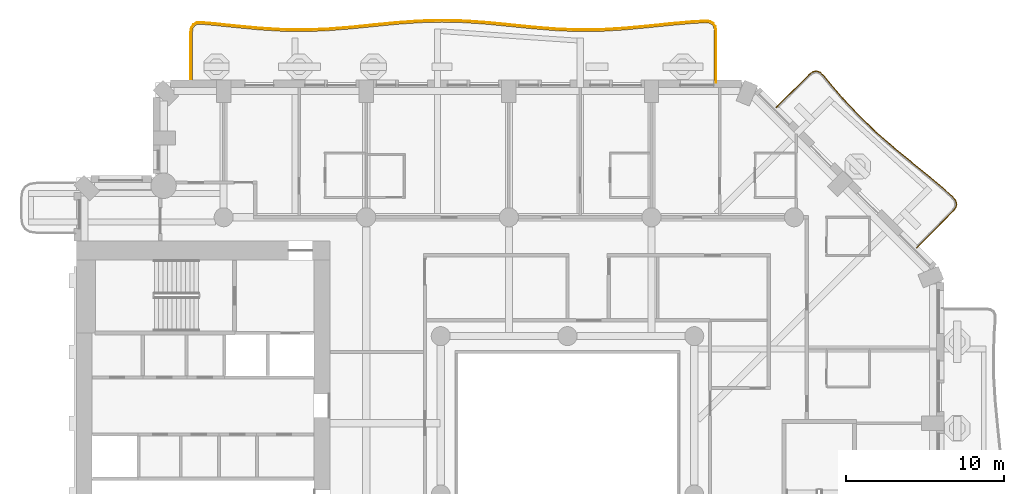
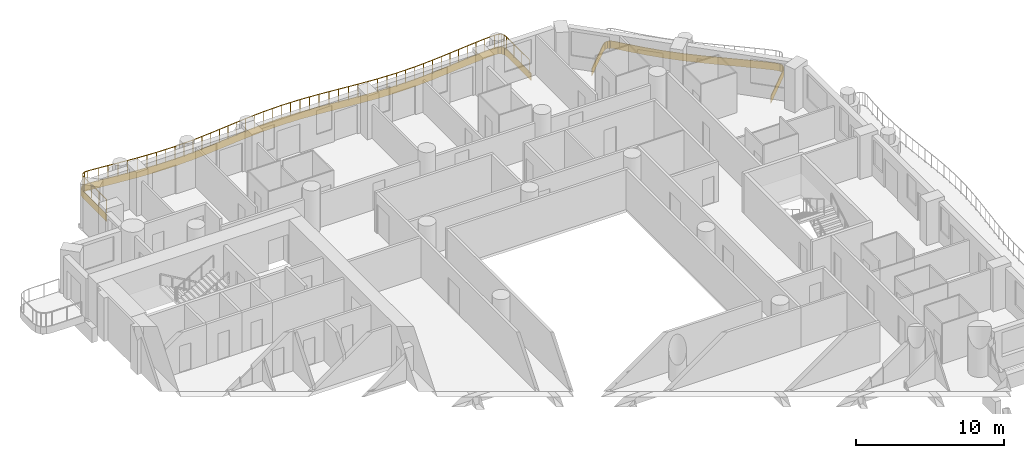
# One storey, part 18 of 20: 2 coverings, 1 railing.
"""IFC4 building model written with IfcOpenShell, lengths in metres."""

from ifc_helpers import new_model, si_unit, direction, frame, origin, origin_2d, place, context, subcontext, project, spatial, polyline, rectangle, outline, extrude, material, layer, layer_set, type_object, element, save


model = new_model("IFC4")

# Units and contexts
model_context = context("Model", 3, precision=1e-05, world=origin(), true_north=direction((0.0, 1.0)))
body_context = subcontext(model_context, "Body", "Model", "MODEL_VIEW")
ifc_project = project(units=[si_unit("LENGTHUNIT", "METRE"), si_unit("AREAUNIT", "SQUARE_METRE"), si_unit("VOLUMEUNIT", "CUBIC_METRE"), si_unit("PLANEANGLEUNIT", "RADIAN"), si_unit("MASSUNIT", "GRAM", prefix="KILO")], contexts=[model_context])

# Site, building, storey
site_placement = place(None, origin())
site = spatial("IfcSite", under=ifc_project, at=site_placement, CompositionType="ELEMENT")
building_placement = place(site_placement, origin())
building = spatial("IfcBuilding", under=site, at=building_placement, Name="Cypress Arch Tower", CompositionType="ELEMENT")
storey_placement = place(building_placement, frame((0.0, 0.0, 77.10009765625)))
storey = spatial("IfcBuildingStorey", under=building, at=storey_placement, Name="L13", CompositionType="ELEMENT", Elevation=77.10009765625)

# Coverings
ifc_material_1 = material(Name="White powder-coated aluminium fascia", Category="aluminium")
ifc_layer = layer(ifc_material_1, 0.050048828125)
ifc_layer_set = layer_set([ifc_layer], Name="Balcony fascia BF50")
covering_type = type_object("IfcCoveringType", Name="Balcony fascia BF50", PredefinedType="CLADDING", material=ifc_layer_set)
covering_1_placement = place(storey_placement, frame((0.0, 0.0, -0.60009765625)))
element("IfcCovering", 1, at=covering_1_placement, inside=storey, type_object=covering_type, Name="Balcony fascia L13-A07", PredefinedType="CLADDING", context=body_context, shape_type="SweptSolid", body=[
    extrude(outline(polyline([(16.239990234375, 26.52880859375), (16.47021484375, 26.700927734375), (16.70703125, 26.75390625), (16.937744140625, 26.67822265625), (17.150146484375, 26.484375), (17.63818359375, 25.890625), (18.547607421875, 24.843017578125), (19.499267578125, 23.83837890625), (20.49951171875, 22.88232421875), (21.543701171875, 21.969482421875), (22.616943359375, 21.08447265625), (23.697998046875, 20.205810546875), (24.763671875, 19.309814453125), (25.332763671875, 18.794921875), (25.5166015625, 18.573486328125), (25.5849609375, 18.337158203125), (25.528564453125, 18.09765625), (25.35595703125, 17.8671875), (23.045166015625, 15.556396484375), (23.009765625, 15.591796875), (25.318115234375, 17.900146484375), (25.482177734375, 18.119384765625), (25.533447265625, 18.3359375), (25.471435546875, 18.549560546875), (25.296630859375, 18.76025390625), (24.730712890625, 19.272216796875), (23.666015625, 20.167236328125), (22.585205078125, 21.0458984375), (21.51123046875, 21.931396484375), (20.4658203125, 22.845458984375), (19.4638671875, 23.80322265625), (18.510498046875, 24.8095703125), (17.599853515625, 25.8583984375), (17.11376953125, 26.449951171875), (16.911865234375, 26.634033203125), (16.70458984375, 26.7021484375), (16.49169921875, 26.654541015625), (16.27294921875, 26.490966796875), (14.191650390625, 24.40966796875), (14.15625, 24.445068359375), (16.239990234375, 26.52880859375)])), origin(), (0.0, 0.0, 1.0), 0.60009765625),
])
covering_2_placement = place(storey_placement, frame((0.0, 0.0, -0.60009765625)))
element("IfcCovering", 2, at=covering_2_placement, inside=storey, type_object=covering_type, Name="Balcony fascia L13-A08", PredefinedType="CLADDING", context=body_context, shape_type="SweptSolid", body=[
    extrude(outline(polyline([(-22.800048828125, 29.1728515625), (-22.757568359375, 29.4677734375), (-22.623046875, 29.680908203125), (-22.399169921875, 29.79638671875), (-22.1015625, 29.81298828125), (-21.30615234375, 29.74365234375), (-19.866943359375, 29.5947265625), (-18.4287109375, 29.459716796875), (-16.99169921875, 29.37158203125), (-15.554931640625, 29.352294921875), (-14.1181640625, 29.40625), (-12.6806640625, 29.5205078125), (-11.241943359375, 29.666748046875), (-9.802001953125, 29.80908203125), (-8.361083984375, 29.911865234375), (-6.919677734375, 29.949951171875), (-5.47802734375, 29.913818359375), (-4.037109375, 29.8125), (-2.59716796875, 29.6708984375), (-1.158447265625, 29.524169921875), (0.279052734375, 29.40869140625), (1.7158203125, 29.352783203125), (3.152587890625, 29.3701171875), (4.589599609375, 29.45654296875), (6.02783203125, 29.5908203125), (7.467041015625, 29.73974609375), (8.907470703125, 29.866455078125), (9.703369140625, 29.906982421875), (10.000732421875, 29.879638671875), (10.2236328125, 29.7568359375), (10.357421875, 29.540283203125), (10.39990234375, 29.244873046875), (10.39990234375, 26.0009765625), (10.35009765625, 26.0009765625), (10.35009765625, 29.2412109375), (10.3095703125, 29.52294921875), (10.18798828125, 29.719482421875), (9.98583984375, 29.830810546875), (9.702392578125, 29.85693359375), (8.910888671875, 29.816650390625), (7.4716796875, 29.68994140625), (6.03271484375, 29.541015625), (4.593505859375, 29.40673828125), (3.154296875, 29.320068359375), (1.71533203125, 29.302734375), (0.276123046875, 29.35888671875), (-1.1630859375, 29.474365234375), (-2.602294921875, 29.62109375), (-4.041259765625, 29.7626953125), (-5.48046875, 29.864013671875), (-6.919677734375, 29.89990234375), (-8.358642578125, 29.862060546875), (-9.7978515625, 29.75927734375), (-11.237060546875, 29.616943359375), (-12.676025390625, 29.470703125), (-14.115234375, 29.3564453125), (-15.554443359375, 29.30224609375), (-16.993408203125, 29.321533203125), (-18.4326171875, 29.409912109375), (-19.871826171875, 29.544921875), (-21.310791015625, 29.69384765625), (-22.102294921875, 29.762939453125), (-22.3857421875, 29.7470703125), (-22.588134765625, 29.642822265625), (-22.70947265625, 29.4501953125), (-22.75, 29.16943359375), (-22.75, 26.0009765625), (-22.800048828125, 26.0009765625), (-22.800048828125, 29.1728515625)])), origin(), (0.0, 0.0, 1.0), 0.60009765625),
])

# Railing
ifc_material_2 = material(Name="Powder-coated steel posts and rods, 100 mm clear between rods", Category="steel")
railing_type = type_object("IfcRailingType", Name="Balcony guard GR1100", PredefinedType="GUARDRAIL", material=ifc_material_2)
railing_placement = place(storey_placement, frame((-22.699951171875, 26.14990234375, 0.0)))
element("IfcRailing", 3, at=railing_placement, inside=storey, type_object=railing_type, Name="Balcony guard L13-A08", PredefinedType="GUARDRAIL", context=body_context, shape_type="SweptSolid", body=[
    extrude(rectangle(XDim=0.050048828125, YDim=0.050048828125, at=origin_2d()), frame((0.0, 0.0, 1.0751953125), z_axis=(0.0, 1.0, 0.0), x_axis=(-1.0, 0.0, 0.0)), (0.0, 0.0, 1.0), 3.015869140625),
    extrude(rectangle(XDim=0.050048828125, YDim=0.050048828125, at=origin_2d()), frame((0.0, 3.015869140625, 1.0751953125), z_axis=(0.142182033643, 0.989840527211, 0.0), x_axis=(-0.989840527211, 0.142182033643, 0.0)), (0.0, 0.0, 1.0), 0.26953125),
    extrude(rectangle(XDim=0.050048828125, YDim=0.050048828125, at=origin_2d()), frame((0.038330078125, 3.28271484375, 1.0751953125), z_axis=(0.534309176625, 0.845289124368, 0.0), x_axis=(-0.845289124368, 0.534309176625, 0.0)), (0.0, 0.0, 1.0), 0.203369140625),
    extrude(rectangle(XDim=0.050048828125, YDim=0.050048828125, at=origin_2d()), frame((0.14697265625, 3.45458984375, 1.0751953125), z_axis=(0.888589081018, 0.458704093174, 0.0), x_axis=(-0.458704093174, 0.888589081018, 0.0)), (0.0, 0.0, 1.0), 0.203369140625),
    extrude(rectangle(XDim=0.050048828125, YDim=0.050048828125, at=origin_2d()), frame((0.32763671875, 3.5478515625, 1.0751953125), z_axis=(0.998471484463, 0.055269292697, 0.0), x_axis=(-0.055269292697, 0.998471484463, 0.0)), (0.0, 0.0, 1.0), 0.26953125),
    extrude(rectangle(XDim=0.050048828125, YDim=0.050048828125, at=origin_2d()), frame((0.5966796875, 3.562744140625, 1.0751953125), z_axis=(0.996227830946, -0.086776199782, 0.0), x_axis=(0.086776199782, 0.996227830946, 0.0)), (0.0, 0.0, 1.0), 0.79052734375),
    extrude(rectangle(XDim=0.050048828125, YDim=0.050048828125, at=origin_2d()), frame((1.38427734375, 3.494140625, 1.0751953125), z_axis=(0.994687027697, -0.10294521325, 0.0), x_axis=(0.10294521325, 0.994687027697, 0.0)), (0.0, 0.0, 1.0), 1.446533203125),
    extrude(rectangle(XDim=0.050048828125, YDim=0.050048828125, at=origin_2d()), frame((2.8232421875, 3.34521484375, 1.0751953125), z_axis=(0.995619017982, -0.093502786229, 0.0), x_axis=(0.093502786229, 0.995619017982, 0.0)), (0.0, 0.0, 1.0), 1.446533203125),
    extrude(rectangle(XDim=0.050048828125, YDim=0.050048828125, at=origin_2d()), frame((4.263427734375, 3.2099609375, 1.0751953125), z_axis=(0.998135240894, -0.061041304754, 0.0), x_axis=(0.061041304754, 0.998135240894, 0.0)), (0.0, 0.0, 1.0), 1.44384765625),
    extrude(rectangle(XDim=0.050048828125, YDim=0.050048828125, at=origin_2d()), frame((5.70458984375, 3.121826171875, 1.0751953125), z_axis=(0.999908240636, -0.013546597672, 0.0), x_axis=(0.013546597672, 0.999908240636, 0.0)), (0.0, 0.0, 1.0), 1.44189453125),
    extrude(rectangle(XDim=0.050048828125, YDim=0.050048828125, at=origin_2d()), frame((7.146240234375, 3.102294921875, 1.0751953125), z_axis=(0.999293807627, 0.037575072035, 0.0), x_axis=(-0.037575072035, 0.999293807627, 0.0)), (0.0, 0.0, 1.0), 1.4423828125),
    extrude(rectangle(XDim=0.050048828125, YDim=0.050048828125, at=origin_2d()), frame((8.587646484375, 3.156494140625, 1.0751953125), z_axis=(0.996856504141, 0.079228215632, 0.0), x_axis=(-0.079228215632, 0.996856504141, 0.0)), (0.0, 0.0, 1.0), 1.4453125),
    extrude(rectangle(XDim=0.050048828125, YDim=0.050048828125, at=origin_2d()), frame((10.0283203125, 3.27099609375, 1.0751953125), z_axis=(0.994863655341, 0.101224044973, 0.0), x_axis=(-0.101224044973, 0.994863655341, 0.0)), (0.0, 0.0, 1.0), 1.447021484375),
    extrude(rectangle(XDim=0.050048828125, YDim=0.050048828125, at=origin_2d()), frame((11.468017578125, 3.41748046875, 1.0751953125), z_axis=(0.995171747113, 0.098148834675, 0.0), x_axis=(-0.098148834675, 0.995171747113, 0.0)), (0.0, 0.0, 1.0), 1.4453125),
    extrude(rectangle(XDim=0.050048828125, YDim=0.050048828125, at=origin_2d()), frame((12.90625, 3.559326171875, 1.0751953125), z_axis=(0.997453537688, 0.07131928318, 0.0), x_axis=(-0.07131928318, 0.997453537688, 0.0)), (0.0, 0.0, 1.0), 1.441162109375),
    extrude(rectangle(XDim=0.050048828125, YDim=0.050048828125, at=origin_2d()), frame((14.34375, 3.662109375, 1.0751953125), z_axis=(0.999648846126, 0.026498762956, 0.0), x_axis=(-0.026498762956, 0.999648846126, 0.0)), (0.0, 0.0, 1.0), 1.437255859375),
    extrude(rectangle(XDim=0.050048828125, YDim=0.050048828125, at=origin_2d()), frame((15.780517578125, 3.7001953125, 1.0751953125), z_axis=(0.999683814396, -0.025145004169, 0.0), x_axis=(0.025145004169, 0.999683814396, 0.0)), (0.0, 0.0, 1.0), 1.43701171875),
    extrude(rectangle(XDim=0.050048828125, YDim=0.050048828125, at=origin_2d()), frame((17.217041015625, 3.6640625, 1.0751953125), z_axis=(0.997537204184, -0.070139334669, 0.0), x_axis=(0.070139334669, 0.997537204184, 0.0)), (0.0, 0.0, 1.0), 1.441162109375),
    extrude(rectangle(XDim=0.050048828125, YDim=0.050048828125, at=origin_2d()), frame((18.654541015625, 3.56298828125, 1.0751953125), z_axis=(0.995188233636, -0.097981526992, 0.0), x_axis=(0.097981526992, 0.995188233636, 0.0)), (0.0, 0.0, 1.0), 1.445068359375),
    extrude(rectangle(XDim=0.050048828125, YDim=0.050048828125, at=origin_2d()), frame((20.0927734375, 3.42138671875, 1.0751953125), z_axis=(0.994846652155, -0.101391018814, 0.0), x_axis=(0.101391018814, 0.994846652155, 0.0)), (0.0, 0.0, 1.0), 1.447265625),
    extrude(rectangle(XDim=0.050048828125, YDim=0.050048828125, at=origin_2d()), frame((21.532470703125, 3.274658203125, 1.0751953125), z_axis=(0.996789445524, -0.08006747961, 0.0), x_axis=(0.08006747961, 0.996789445524, 0.0)), (0.0, 0.0, 1.0), 1.4453125),
    extrude(rectangle(XDim=0.050048828125, YDim=0.050048828125, at=origin_2d()), frame((22.97314453125, 3.158935546875, 1.0751953125), z_axis=(0.999242052715, -0.038927112487, 0.0), x_axis=(0.038927112487, 0.999242052715, 0.0)), (0.0, 0.0, 1.0), 1.4423828125),
    extrude(rectangle(XDim=0.050048828125, YDim=0.050048828125, at=origin_2d()), frame((24.41455078125, 3.102783203125, 1.0751953125), z_axis=(0.999927723051, 0.012022839684, 0.0), x_axis=(-0.012022839684, 0.999927723051, 0.0)), (0.0, 0.0, 1.0), 1.441650390625),
    extrude(rectangle(XDim=0.050048828125, YDim=0.050048828125, at=origin_2d()), frame((25.856201171875, 3.1201171875, 1.0751953125), z_axis=(0.998196546034, 0.060030454657, 0.0), x_axis=(-0.060030454657, 0.998196546034, 0.0)), (0.0, 0.0, 1.0), 1.44384765625),
    extrude(rectangle(XDim=0.050048828125, YDim=0.050048828125, at=origin_2d()), frame((27.29736328125, 3.206787109375, 1.0751953125), z_axis=(0.995666029801, 0.093000844621, 0.0), x_axis=(-0.093000844621, 0.995666029801, 0.0)), (0.0, 0.0, 1.0), 1.446533203125),
    extrude(rectangle(XDim=0.050048828125, YDim=0.050048828125, at=origin_2d()), frame((28.737548828125, 3.34130859375, 1.0751953125), z_axis=(0.994687027697, 0.10294521325, 0.0), x_axis=(-0.10294521325, 0.994687027697, 0.0)), (0.0, 0.0, 1.0), 1.446533203125),
    extrude(rectangle(XDim=0.050048828125, YDim=0.050048828125, at=origin_2d()), frame((30.176513671875, 3.490234375, 1.0751953125), z_axis=(0.996153770595, 0.087622287853, 0.0), x_axis=(-0.087622287853, 0.996153770595, 0.0)), (0.0, 0.0, 1.0), 1.443359375),
    extrude(rectangle(XDim=0.050048828125, YDim=0.050048828125, at=origin_2d()), frame((31.6142578125, 3.61669921875, 1.0751953125), z_axis=(0.998708704029, 0.050802800081, 0.0), x_axis=(-0.050802800081, 0.998708704029, 0.0)), (0.0, 0.0, 1.0), 0.7880859375),
    extrude(rectangle(XDim=0.050048828125, YDim=0.050048828125, at=origin_2d()), frame((32.4013671875, 3.65673828125, 1.0751953125), z_axis=(0.995833790845, -0.091186956369, 0.0), x_axis=(0.091186956369, 0.995833790845, 0.0)), (0.0, 0.0, 1.0), 0.2705078125),
    extrude(rectangle(XDim=0.050048828125, YDim=0.050048828125, at=origin_2d()), frame((32.670654296875, 3.632080078125, 1.0751953125), z_axis=(0.876091737736, -0.482144446271, 0.0), x_axis=(0.482144446271, 0.876091737736, 0.0)), (0.0, 0.0, 1.0), 0.20751953125),
    extrude(rectangle(XDim=0.050048828125, YDim=0.050048828125, at=origin_2d()), frame((32.8525390625, 3.531982421875, 1.0751953125), z_axis=(0.525543053659, -0.850767006148, 0.0), x_axis=(0.850767006148, 0.525543053659, 0.0)), (0.0, 0.0, 1.0), 0.207275390625),
    extrude(rectangle(XDim=0.050048828125, YDim=0.050048828125, at=origin_2d()), frame((32.96142578125, 3.355712890625, 1.0751953125), z_axis=(0.142558118867, -0.989786432896, 0.0), x_axis=(0.989786432896, 0.142558118867, 0.0)), (0.0, 0.0, 1.0), 0.2705078125),
    extrude(rectangle(XDim=0.050048828125, YDim=0.050048828125, at=origin_2d()), frame((33.0, 3.087890625, 1.0751953125), z_axis=(0.0, -1.0, 0.0), x_axis=(1.0, 0.0, 0.0)), (0.0, 0.0, 1.0), 3.087890625),
    extrude(rectangle(XDim=0.0400390625, YDim=0.0400390625, at=origin_2d()), origin(), (0.0, 0.0, 1.0), 1.050048828125),
    extrude(rectangle(XDim=0.0400390625, YDim=0.0400390625, at=origin_2d()), frame((0.0, 1.00537109375, 0.0)), (0.0, 0.0, 1.0), 1.050048828125),
    extrude(rectangle(XDim=0.0400390625, YDim=0.0400390625, at=origin_2d()), frame((0.0, 2.010498046875, 0.0)), (0.0, 0.0, 1.0), 1.050048828125),
    extrude(rectangle(XDim=0.0400390625, YDim=0.0400390625, at=origin_2d()), frame((0.0, 3.015869140625, 0.0)), (0.0, 0.0, 1.0), 1.050048828125),
    extrude(rectangle(XDim=0.0400390625, YDim=0.0400390625, at=origin_2d()), frame((0.038330078125, 3.28271484375, 0.0)), (0.0, 0.0, 1.0), 1.050048828125),
    extrude(rectangle(XDim=0.0400390625, YDim=0.0400390625, at=origin_2d()), frame((0.14697265625, 3.45458984375, 0.0)), (0.0, 0.0, 1.0), 1.050048828125),
    extrude(rectangle(XDim=0.0400390625, YDim=0.0400390625, at=origin_2d()), frame((0.32763671875, 3.5478515625, 0.0)), (0.0, 0.0, 1.0), 1.050048828125),
    extrude(rectangle(XDim=0.0400390625, YDim=0.0400390625, at=origin_2d()), frame((0.5966796875, 3.562744140625, 0.0)), (0.0, 0.0, 1.0), 1.050048828125),
    extrude(rectangle(XDim=0.0400390625, YDim=0.0400390625, at=origin_2d()), frame((1.38427734375, 3.494140625, 0.0)), (0.0, 0.0, 1.0), 1.050048828125),
    extrude(rectangle(XDim=0.0400390625, YDim=0.0400390625, at=origin_2d()), frame((2.103759765625, 3.419677734375, 0.0)), (0.0, 0.0, 1.0), 1.050048828125),
    extrude(rectangle(XDim=0.0400390625, YDim=0.0400390625, at=origin_2d()), frame((2.8232421875, 3.34521484375, 0.0)), (0.0, 0.0, 1.0), 1.050048828125),
    extrude(rectangle(XDim=0.0400390625, YDim=0.0400390625, at=origin_2d()), frame((3.54345703125, 3.277587890625, 0.0)), (0.0, 0.0, 1.0), 1.050048828125),
    extrude(rectangle(XDim=0.0400390625, YDim=0.0400390625, at=origin_2d()), frame((4.263427734375, 3.2099609375, 0.0)), (0.0, 0.0, 1.0), 1.050048828125),
    extrude(rectangle(XDim=0.0400390625, YDim=0.0400390625, at=origin_2d()), frame((4.98388671875, 3.166015625, 0.0)), (0.0, 0.0, 1.0), 1.050048828125),
    extrude(rectangle(XDim=0.0400390625, YDim=0.0400390625, at=origin_2d()), frame((5.70458984375, 3.121826171875, 0.0)), (0.0, 0.0, 1.0), 1.050048828125),
    extrude(rectangle(XDim=0.0400390625, YDim=0.0400390625, at=origin_2d()), frame((6.42529296875, 3.112060546875, 0.0)), (0.0, 0.0, 1.0), 1.050048828125),
    extrude(rectangle(XDim=0.0400390625, YDim=0.0400390625, at=origin_2d()), frame((7.146240234375, 3.102294921875, 0.0)), (0.0, 0.0, 1.0), 1.050048828125),
    extrude(rectangle(XDim=0.0400390625, YDim=0.0400390625, at=origin_2d()), frame((7.866943359375, 3.12939453125, 0.0)), (0.0, 0.0, 1.0), 1.050048828125),
    extrude(rectangle(XDim=0.0400390625, YDim=0.0400390625, at=origin_2d()), frame((8.587646484375, 3.156494140625, 0.0)), (0.0, 0.0, 1.0), 1.050048828125),
    extrude(rectangle(XDim=0.0400390625, YDim=0.0400390625, at=origin_2d()), frame((9.30810546875, 3.2138671875, 0.0)), (0.0, 0.0, 1.0), 1.050048828125),
    extrude(rectangle(XDim=0.0400390625, YDim=0.0400390625, at=origin_2d()), frame((10.0283203125, 3.27099609375, 0.0)), (0.0, 0.0, 1.0), 1.050048828125),
    extrude(rectangle(XDim=0.0400390625, YDim=0.0400390625, at=origin_2d()), frame((10.748046875, 3.34423828125, 0.0)), (0.0, 0.0, 1.0), 1.050048828125),
    extrude(rectangle(XDim=0.0400390625, YDim=0.0400390625, at=origin_2d()), frame((11.468017578125, 3.41748046875, 0.0)), (0.0, 0.0, 1.0), 1.050048828125),
    extrude(rectangle(XDim=0.0400390625, YDim=0.0400390625, at=origin_2d()), frame((12.18701171875, 3.48828125, 0.0)), (0.0, 0.0, 1.0), 1.050048828125),
    extrude(rectangle(XDim=0.0400390625, YDim=0.0400390625, at=origin_2d()), frame((12.90625, 3.559326171875, 0.0)), (0.0, 0.0, 1.0), 1.050048828125),
    extrude(rectangle(XDim=0.0400390625, YDim=0.0400390625, at=origin_2d()), frame((13.625, 3.61083984375, 0.0)), (0.0, 0.0, 1.0), 1.050048828125),
    extrude(rectangle(XDim=0.0400390625, YDim=0.0400390625, at=origin_2d()), frame((14.34375, 3.662109375, 0.0)), (0.0, 0.0, 1.0), 1.050048828125),
    extrude(rectangle(XDim=0.0400390625, YDim=0.0400390625, at=origin_2d()), frame((15.06201171875, 3.68115234375, 0.0)), (0.0, 0.0, 1.0), 1.050048828125),
    extrude(rectangle(XDim=0.0400390625, YDim=0.0400390625, at=origin_2d()), frame((15.780517578125, 3.7001953125, 0.0)), (0.0, 0.0, 1.0), 1.050048828125),
    extrude(rectangle(XDim=0.0400390625, YDim=0.0400390625, at=origin_2d()), frame((16.498779296875, 3.68212890625, 0.0)), (0.0, 0.0, 1.0), 1.050048828125),
    extrude(rectangle(XDim=0.0400390625, YDim=0.0400390625, at=origin_2d()), frame((17.217041015625, 3.6640625, 0.0)), (0.0, 0.0, 1.0), 1.050048828125),
    extrude(rectangle(XDim=0.0400390625, YDim=0.0400390625, at=origin_2d()), frame((17.935791015625, 3.613525390625, 0.0)), (0.0, 0.0, 1.0), 1.050048828125),
    extrude(rectangle(XDim=0.0400390625, YDim=0.0400390625, at=origin_2d()), frame((18.654541015625, 3.56298828125, 0.0)), (0.0, 0.0, 1.0), 1.050048828125),
    extrude(rectangle(XDim=0.0400390625, YDim=0.0400390625, at=origin_2d()), frame((19.37353515625, 3.4921875, 0.0)), (0.0, 0.0, 1.0), 1.050048828125),
    extrude(rectangle(XDim=0.0400390625, YDim=0.0400390625, at=origin_2d()), frame((20.0927734375, 3.42138671875, 0.0)), (0.0, 0.0, 1.0), 1.050048828125),
    extrude(rectangle(XDim=0.0400390625, YDim=0.0400390625, at=origin_2d()), frame((20.8125, 3.34814453125, 0.0)), (0.0, 0.0, 1.0), 1.050048828125),
    extrude(rectangle(XDim=0.0400390625, YDim=0.0400390625, at=origin_2d()), frame((21.532470703125, 3.274658203125, 0.0)), (0.0, 0.0, 1.0), 1.050048828125),
    extrude(rectangle(XDim=0.0400390625, YDim=0.0400390625, at=origin_2d()), frame((22.2529296875, 3.216796875, 0.0)), (0.0, 0.0, 1.0), 1.050048828125),
    extrude(rectangle(XDim=0.0400390625, YDim=0.0400390625, at=origin_2d()), frame((22.97314453125, 3.158935546875, 0.0)), (0.0, 0.0, 1.0), 1.050048828125),
    extrude(rectangle(XDim=0.0400390625, YDim=0.0400390625, at=origin_2d()), frame((23.69384765625, 3.130859375, 0.0)), (0.0, 0.0, 1.0), 1.050048828125),
    extrude(rectangle(XDim=0.0400390625, YDim=0.0400390625, at=origin_2d()), frame((24.41455078125, 3.102783203125, 0.0)), (0.0, 0.0, 1.0), 1.050048828125),
    extrude(rectangle(XDim=0.0400390625, YDim=0.0400390625, at=origin_2d()), frame((25.13525390625, 3.111328125, 0.0)), (0.0, 0.0, 1.0), 1.050048828125),
    extrude(rectangle(XDim=0.0400390625, YDim=0.0400390625, at=origin_2d()), frame((25.856201171875, 3.1201171875, 0.0)), (0.0, 0.0, 1.0), 1.050048828125),
    extrude(rectangle(XDim=0.0400390625, YDim=0.0400390625, at=origin_2d()), frame((26.57666015625, 3.16357421875, 0.0)), (0.0, 0.0, 1.0), 1.050048828125),
    extrude(rectangle(XDim=0.0400390625, YDim=0.0400390625, at=origin_2d()), frame((27.29736328125, 3.206787109375, 0.0)), (0.0, 0.0, 1.0), 1.050048828125),
    extrude(rectangle(XDim=0.0400390625, YDim=0.0400390625, at=origin_2d()), frame((28.017578125, 3.27392578125, 0.0)), (0.0, 0.0, 1.0), 1.050048828125),
    extrude(rectangle(XDim=0.0400390625, YDim=0.0400390625, at=origin_2d()), frame((28.737548828125, 3.34130859375, 0.0)), (0.0, 0.0, 1.0), 1.050048828125),
    extrude(rectangle(XDim=0.0400390625, YDim=0.0400390625, at=origin_2d()), frame((29.45703125, 3.415771484375, 0.0)), (0.0, 0.0, 1.0), 1.050048828125),
    extrude(rectangle(XDim=0.0400390625, YDim=0.0400390625, at=origin_2d()), frame((30.176513671875, 3.490234375, 0.0)), (0.0, 0.0, 1.0), 1.050048828125),
    extrude(rectangle(XDim=0.0400390625, YDim=0.0400390625, at=origin_2d()), frame((30.8955078125, 3.553466796875, 0.0)), (0.0, 0.0, 1.0), 1.050048828125),
    extrude(rectangle(XDim=0.0400390625, YDim=0.0400390625, at=origin_2d()), frame((31.6142578125, 3.61669921875, 0.0)), (0.0, 0.0, 1.0), 1.050048828125),
    extrude(rectangle(XDim=0.0400390625, YDim=0.0400390625, at=origin_2d()), frame((32.4013671875, 3.65673828125, 0.0)), (0.0, 0.0, 1.0), 1.050048828125),
    extrude(rectangle(XDim=0.0400390625, YDim=0.0400390625, at=origin_2d()), frame((32.670654296875, 3.632080078125, 0.0)), (0.0, 0.0, 1.0), 1.050048828125),
    extrude(rectangle(XDim=0.0400390625, YDim=0.0400390625, at=origin_2d()), frame((32.8525390625, 3.531982421875, 0.0)), (0.0, 0.0, 1.0), 1.050048828125),
    extrude(rectangle(XDim=0.0400390625, YDim=0.0400390625, at=origin_2d()), frame((32.96142578125, 3.355712890625, 0.0)), (0.0, 0.0, 1.0), 1.050048828125),
    extrude(rectangle(XDim=0.0400390625, YDim=0.0400390625, at=origin_2d()), frame((33.0, 3.087890625, 0.0)), (0.0, 0.0, 1.0), 1.050048828125),
    extrude(rectangle(XDim=0.0400390625, YDim=0.0400390625, at=origin_2d()), frame((33.0, 2.05859375, 0.0)), (0.0, 0.0, 1.0), 1.050048828125),
    extrude(rectangle(XDim=0.0400390625, YDim=0.0400390625, at=origin_2d()), frame((33.0, 1.029296875, 0.0)), (0.0, 0.0, 1.0), 1.050048828125),
    extrude(rectangle(XDim=0.0400390625, YDim=0.0400390625, at=origin_2d()), frame((33.0, 0.0, 0.0)), (0.0, 0.0, 1.0), 1.050048828125),
])

save(model, "model.ifc")
